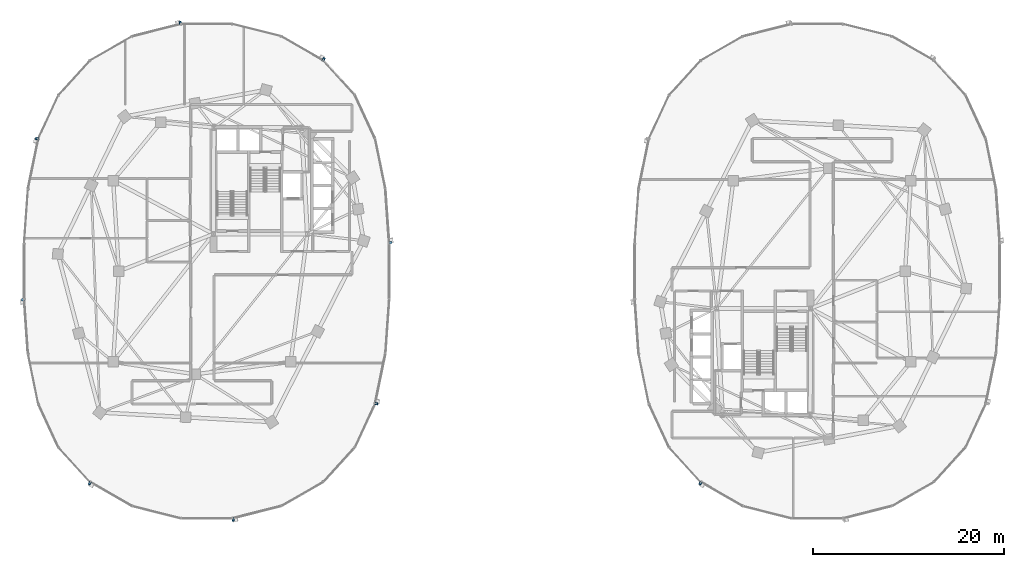
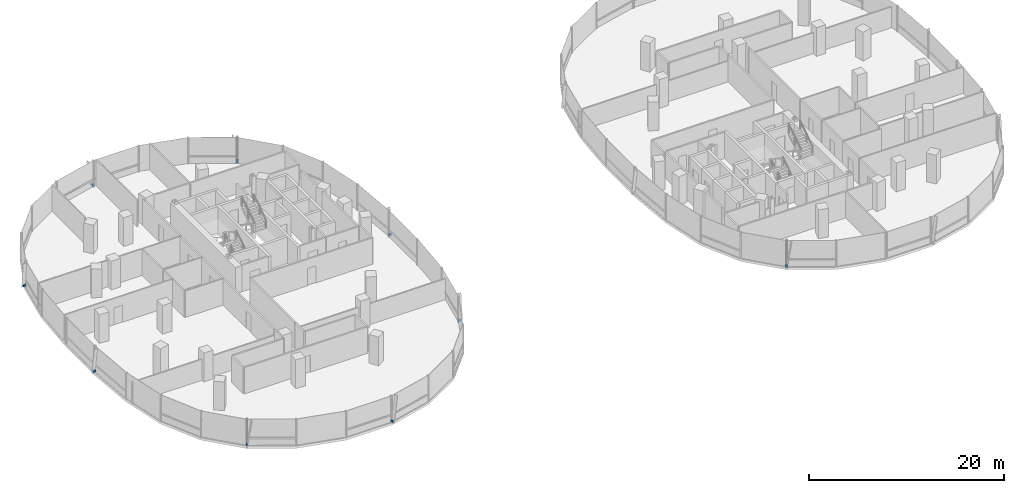
# One storey, part 15 of 21: 9 discrete accessories.
"""IFC4 building model written with IfcOpenShell, lengths in metres."""

from ifc_helpers import new_model, si_unit, direction, frame, origin, origin_2d, place, context, subcontext, project, spatial, rectangle, extrude, material, type_object, element, save


model = new_model("IFC4")

# Units and contexts
model_context = context("Model", 3, precision=1e-05, world=origin(), true_north=direction((0.0, 1.0)))
body_context = subcontext(model_context, "Body", "Model", "MODEL_VIEW")
ifc_project = project(units=[si_unit("LENGTHUNIT", "METRE"), si_unit("AREAUNIT", "SQUARE_METRE"), si_unit("VOLUMEUNIT", "CUBIC_METRE"), si_unit("PLANEANGLEUNIT", "RADIAN"), si_unit("MASSUNIT", "GRAM", prefix="KILO"), si_unit("THERMODYNAMICTEMPERATUREUNIT", "KELVIN"), si_unit("POWERUNIT", "WATT")], contexts=[model_context])

# Site, building, storey
site_placement = place(None, origin())
site = spatial("IfcSite", under=ifc_project, at=site_placement, CompositionType="ELEMENT")
building_placement = place(site_placement, origin())
building = spatial("IfcBuilding", under=site, at=building_placement, Name="Cundina Bronze Exchange", CompositionType="ELEMENT")
storey_placement = place(building_placement, frame((0.0, 0.0, 99.800048828125)))
storey = spatial("IfcBuildingStorey", under=building, at=storey_placement, Name="L25", CompositionType="ELEMENT", Elevation=99.800048828125)

# Discrete accessories
ifc_material = material(Name="Anodised Bronze Aluminium 6063-T6", Category="aluminium")
discrete_accessory_type = type_object("IfcDiscreteAccessoryType", Name="ACC-BRK-FIN", PredefinedType="BRACKET", material=ifc_material)
for number, where, z_axis, x_axis, name in (
    (1, (-12.735595703125, 2.986083984375, 0.10009765625), (0.0, 0.0, 1.0), (-0.070278787473, 0.997527389113, 0.0), "L25 Fin Support Bracket 1"),
    (2, (-19.740478515625, 22.21875, 0.10009765625), (0.0, 0.0, 1.0), (-0.867105478933, 0.498124571171, 0.0), "L25 Fin Support Bracket 5"),
    (3, (-34.76025390625, 26.03173828125, 0.10009765625), (0.0, 0.0, 1.0), (-0.969488149345, -0.245138182011, 0.0), "L25 Fin Support Bracket 1"),
    (4, (-49.788330078125, 13.8896484375, 0.10009765625), (0.0, 0.0, 1.0), (-0.201419845156, -0.979505000486, 0.0), "L25 Fin Support Bracket 5"),
    (5, (-51.264404296875, -2.986083984375, 0.10009765625), (0.0, 0.0, 1.0), (0.070278787473, -0.997527389113, 0.0), "L25 Fin Support Bracket 1"),
    (6, (-44.259521484375, -22.21875, 0.10009765625), (0.0, 0.0, 1.0), (0.867105478933, -0.498124571171, 0.0), "L25 Fin Support Bracket 5"),
    (7, (-29.23974609375, -26.03173828125, 0.10009765625), (0.0, 0.0, 1.0), (0.969488149345, 0.245138182011, 0.0), "L25 Fin Support Bracket 1"),
    (8, (-14.211669921875, -13.8896484375, 0.10009765625), (0.0, 0.0, 1.0), (0.201419845156, 0.979505000486, 0.0), "L25 Fin Support Bracket 5"),
    (9, (19.740478515625, -22.21875, 0.10009765625), (0.0, 0.0, 1.0), (0.867105478933, -0.498124571171, 0.0), "L25 Fin Support Bracket 5"),
):
    element("IfcDiscreteAccessory", number, at=place(storey_placement, frame(where, z_axis=z_axis, x_axis=x_axis)), inside=storey, type_object=discrete_accessory_type, Name=name, PredefinedType="BRACKET", context=body_context, shape_type="SweptSolid", body=[
        extrude(rectangle(XDim=0.219970703125, YDim=0.320068359375, at=origin_2d()), origin(), (0.0, 0.0, 1.0), 0.239990234375),
    ])

save(model, "model.ifc")
